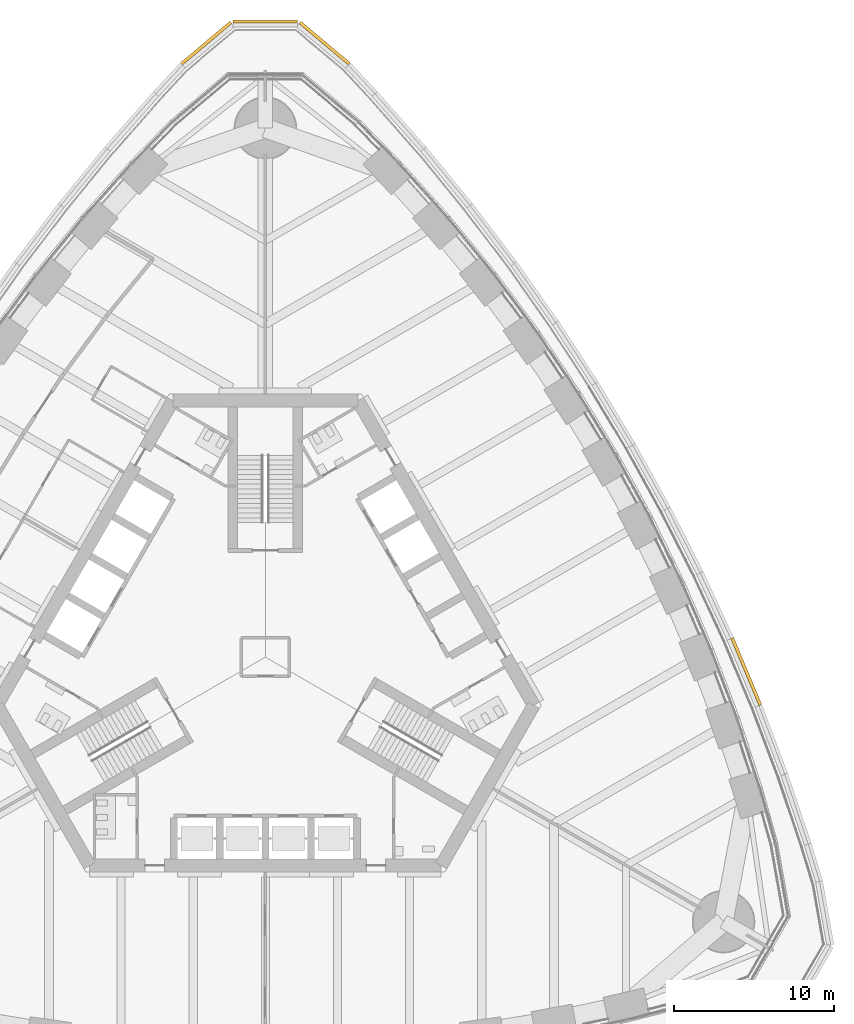
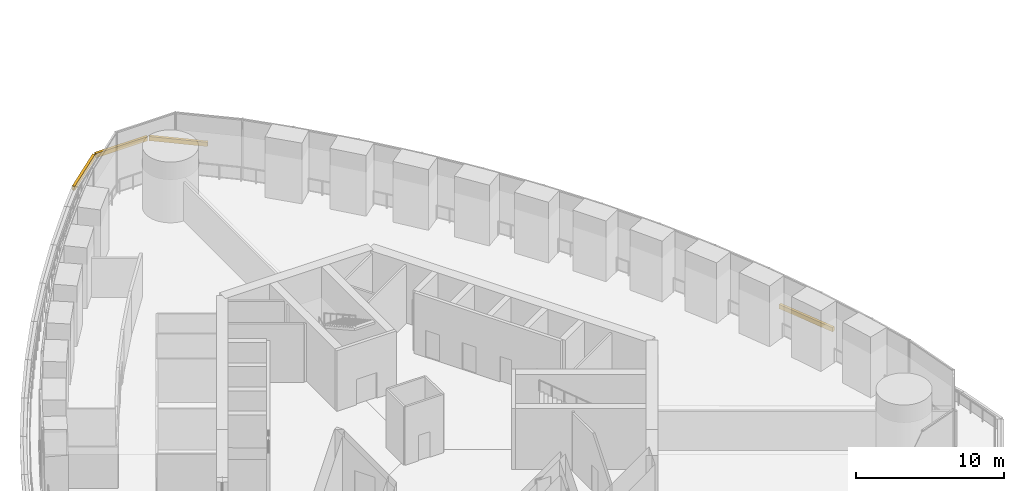
# One storey, part 21 of 31: 4 coverings.
"""IFC4 building model written with IfcOpenShell, lengths in metres."""

from ifc_helpers import new_model, si_unit, direction, frame, origin, origin_2d, place, context, subcontext, project, spatial, rectangle, extrude, material, type_object, element, save


model = new_model("IFC4")

# Units and contexts
model_context = context("Model", 3, precision=1e-05, world=origin(), true_north=direction((0.0, 1.0)))
body_context = subcontext(model_context, "Body", "Model", "MODEL_VIEW")
ifc_project = project(units=[si_unit("LENGTHUNIT", "METRE"), si_unit("AREAUNIT", "SQUARE_METRE"), si_unit("VOLUMEUNIT", "CUBIC_METRE"), si_unit("PLANEANGLEUNIT", "RADIAN"), si_unit("MASSUNIT", "GRAM", prefix="KILO")], contexts=[model_context])

# Site, building, storey
site_placement = place(None, origin())
site = spatial("IfcSite", under=ifc_project, at=site_placement, CompositionType="ELEMENT")
building_placement = place(site_placement, origin())
building = spatial("IfcBuilding", under=site, at=building_placement, Name="Trefoil Bronze Tower", CompositionType="ELEMENT")
storey_placement = place(building_placement, frame((0.0, 0.0, 184.699951171875)))
storey = spatial("IfcBuildingStorey", under=building, at=storey_placement, Name="L42", CompositionType="ELEMENT", Elevation=184.699951171875)

# Coverings
ifc_material = material(Name="Stepped bronze-finish aluminium cornice", Category="aluminium")
covering_type = type_object("IfcCoveringType", Name="Setback cornice 350x200", PredefinedType="MOLDING", material=ifc_material)
covering_placement = place(storey_placement, frame((29.998779296875, -0.899658203125, 0.75), z_axis=(0.0, 0.0, 1.0), x_axis=(-0.386759234303, 0.922180727776, 0.0)))
element("IfcCovering", 1, at=covering_placement, inside=storey, type_object=covering_type, Name="Setback cornice L42.20", PredefinedType="MOLDING", context=body_context, shape_type="SweptSolid", body=[
    extrude(rectangle(XDim=4.5361328125, YDim=0.199951171875, at=origin_2d()), origin(), (0.0, 0.0, 1.0), 0.35009765625),
])
for number, where, z_axis, x_axis, name in (
    (2, (3.693359375, 38.30078125, 0.75), (0.0, 0.0, 1.0), (-0.766044443108, 0.6427876097, 0.0), "Setback cornice L42.31"),
    (3, (0.0, 39.64501953125, 0.75), (0.0, 0.0, 1.0), (-1.0, 0.0, 0.0), "Setback cornice L42.32"),
    (4, (-3.693359375, 38.30078125, 0.75), (0.0, 0.0, 1.0), (-0.766044443108, -0.6427876097, 0.0), "Setback cornice L42.33"),
):
    element("IfcCovering", number, at=place(storey_placement, frame(where, z_axis=z_axis, x_axis=x_axis)), inside=storey, type_object=covering_type, Name=name, PredefinedType="MOLDING", context=body_context, shape_type="SweptSolid", body=[
        extrude(rectangle(XDim=4.018798828125, YDim=0.199951171875, at=origin_2d()), origin(), (0.0, 0.0, 1.0), 0.35009765625),
    ])

save(model, "model.ifc")
